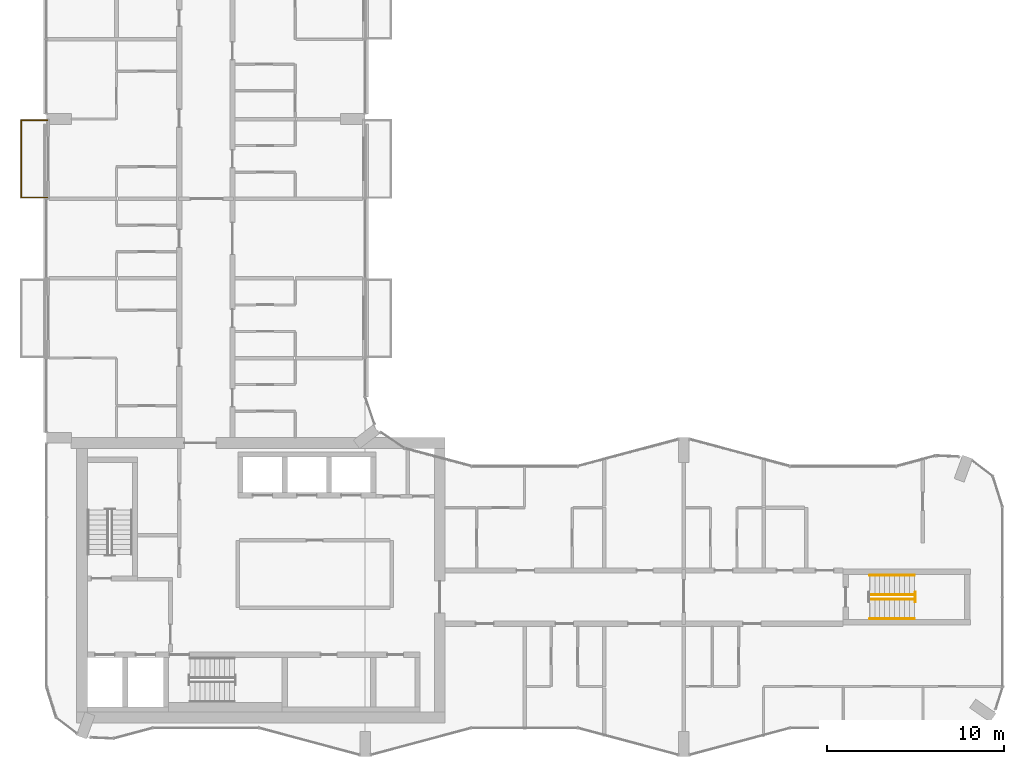
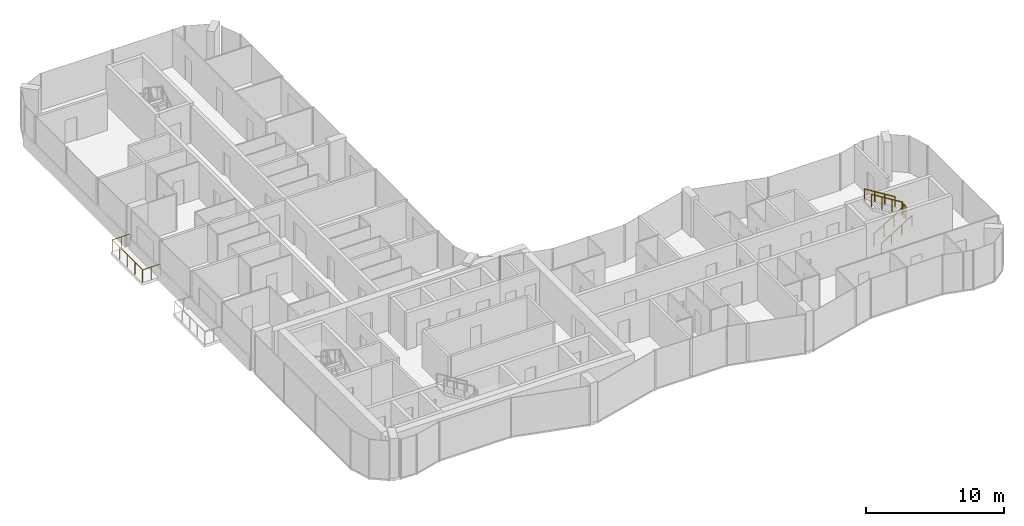
# One storey, part 16 of 17: 6 railings.
"""IFC4 building model written with IfcOpenShell, lengths in metres."""

from ifc_helpers import new_model, si_unit, direction, frame, origin, origin_2d, place, context, subcontext, project, spatial, circle, extrude, material, type_object, element, save


model = new_model("IFC4")

# Units and contexts
model_context = context("Model", 3, precision=1e-05, world=origin(), true_north=direction((0.0, 1.0)))
body_context = subcontext(model_context, "Body", "Model", "MODEL_VIEW")
ifc_project = project(units=[si_unit("LENGTHUNIT", "METRE"), si_unit("AREAUNIT", "SQUARE_METRE"), si_unit("VOLUMEUNIT", "CUBIC_METRE"), si_unit("PLANEANGLEUNIT", "RADIAN"), si_unit("MASSUNIT", "GRAM", prefix="KILO")], contexts=[model_context])

# Site, building, storey
site_placement = place(None, origin())
site = spatial("IfcSite", under=ifc_project, at=site_placement, CompositionType="ELEMENT")
building_placement = place(site_placement, origin())
building = spatial("IfcBuilding", under=site, at=building_placement, Name="Plateau Cross Towers", CompositionType="ELEMENT")
storey_placement = place(building_placement, frame((0.0, 0.0, 142.89990234375)))
storey = spatial("IfcBuildingStorey", under=building, at=storey_placement, Name="L36", CompositionType="ELEMENT", Elevation=142.89990234375)

# Railings
ifc_material_1 = material(Name="Stainless steel and toughened glass", Category="steel")
railing_type_1 = type_object("IfcRailingType", Name="Glass balustrade guard 1100", PredefinedType="GUARDRAIL", material=ifc_material_1)
railing_1_placement = place(storey_placement, frame((0.050048828125, 31.570068359375, 0.0)))
element("IfcRailing", 1, at=railing_1_placement, inside=storey, type_object=railing_type_1, Name="Guard guard1", PredefinedType="GUARDRAIL", context=body_context, shape_type="SweptSolid", body=[
    extrude(circle(Radius=0.02392578125, at=origin_2d()), frame((0.0, 0.0, 1.076171875), z_axis=(-1.0, 0.0, 0.0), x_axis=(0.0, -1.0, 0.0)), (0.0, 0.0, 1.0), 1.47998046875),
    extrude(circle(Radius=0.02392578125, at=origin_2d()), frame((-1.47998046875, 0.0, 1.076171875), z_axis=(0.0, 1.0, 0.0), x_axis=(-1.0, 0.0, 0.0)), (0.0, 0.0, 1.0), 4.35986328125),
    extrude(circle(Radius=0.02392578125, at=origin_2d()), frame((-1.47998046875, 4.35986328125, 1.076171875), z_axis=(1.0, 0.0, 0.0), x_axis=(0.0, 1.0, 0.0)), (0.0, 0.0, 1.0), 1.47998046875),
    extrude(circle(Radius=0.02099609375, at=origin_2d()), origin(), (0.0, 0.0, 1.0), 1.052001953125),
    extrude(circle(Radius=0.02099609375, at=origin_2d()), frame((-0.739990234375, 0.0, 0.0)), (0.0, 0.0, 1.0), 1.052001953125),
    extrude(circle(Radius=0.02099609375, at=origin_2d()), frame((-1.47998046875, 0.0, 0.0)), (0.0, 0.0, 1.0), 1.052001953125),
    extrude(circle(Radius=0.02099609375, at=origin_2d()), frame((-1.47998046875, 1.08984375, 0.0)), (0.0, 0.0, 1.0), 1.052001953125),
    extrude(circle(Radius=0.02099609375, at=origin_2d()), frame((-1.47998046875, 2.179931640625, 0.0)), (0.0, 0.0, 1.0), 1.052001953125),
    extrude(circle(Radius=0.02099609375, at=origin_2d()), frame((-1.47998046875, 3.27001953125, 0.0)), (0.0, 0.0, 1.0), 1.052001953125),
    extrude(circle(Radius=0.02099609375, at=origin_2d()), frame((-1.47998046875, 4.35986328125, 0.0)), (0.0, 0.0, 1.0), 1.052001953125),
    extrude(circle(Radius=0.02099609375, at=origin_2d()), frame((-0.739990234375, 4.35986328125, 0.0)), (0.0, 0.0, 1.0), 1.052001953125),
    extrude(circle(Radius=0.02099609375, at=origin_2d()), frame((0.0, 4.35986328125, 0.0)), (0.0, 0.0, 1.0), 1.052001953125),
])
railing_type_2 = type_object("IfcRailingType", Name="RL-GUARD-1100", PredefinedType="GUARDRAIL", material=ifc_material_1)
railing_2_placement = place(storey_placement, frame((46.5, 8.875, 0.175048828125)))
element("IfcRailing", 2, at=railing_2_placement, inside=storey, type_object=railing_type_2, Name="L36 ES-E stair guard 1", PredefinedType="GUARDRAIL", context=body_context, shape_type="SweptSolid", body=[
    extrude(circle(Radius=0.02392578125, at=origin_2d()), frame((0.0, 0.0, 1.076171875), z_axis=(0.848007534815, 0.0, 0.529984170421), x_axis=(0.0, 1.0, 0.0)), (0.0, 0.0, 1.0), 2.9716796875),
    extrude(circle(Radius=0.02099609375, at=origin_2d()), origin(), (0.0, 0.0, 1.0), 1.052001953125),
    extrude(circle(Radius=0.02099609375, at=origin_2d()), frame((0.840087890625, 0.0, 0.52490234375)), (0.0, 0.0, 1.0), 1.052001953125),
    extrude(circle(Radius=0.02099609375, at=origin_2d()), frame((1.679931640625, 0.0, 1.050048828125)), (0.0, 0.0, 1.0), 1.052001953125),
    extrude(circle(Radius=0.02099609375, at=origin_2d()), frame((2.52001953125, 0.0, 1.574951171875)), (0.0, 0.0, 1.0), 1.052001953125),
])
railing_3_placement = place(storey_placement, frame((49.070068359375, 8.72509765625, 1.75)))
element("IfcRailing", 3, at=railing_3_placement, inside=storey, type_object=railing_type_2, Name="L36 ES-E stair guard 2", PredefinedType="GUARDRAIL", context=body_context, shape_type="SweptSolid", body=[
    extrude(circle(Radius=0.02392578125, at=origin_2d()), frame((0.0, 0.0, 1.076171875), z_axis=(0.0, 1.0, 0.0), x_axis=(-1.0, 0.0, 0.0)), (0.0, 0.0, 1.0), 0.5498046875),
    extrude(circle(Radius=0.02099609375, at=origin_2d()), origin(), (0.0, 0.0, 1.0), 1.052001953125),
    extrude(circle(Radius=0.02099609375, at=origin_2d()), frame((0.0, 0.5498046875, 0.0)), (0.0, 0.0, 1.0), 1.052001953125),
])
railing_4_placement = place(storey_placement, frame((49.02001953125, 9.125, 1.925048828125)))
element("IfcRailing", 4, at=railing_4_placement, inside=storey, type_object=railing_type_2, Name="L36 ES-E stair guard 3", PredefinedType="GUARDRAIL", context=body_context, shape_type="SweptSolid", body=[
    extrude(circle(Radius=0.02392578125, at=origin_2d()), frame((0.0, 0.0, 1.076171875), z_axis=(-0.852638500773, 0.0, 0.522501279423), x_axis=(0.0, -1.0, 0.0)), (0.0, 0.0, 1.0), 3.01416015625),
    extrude(circle(Radius=0.02099609375, at=origin_2d()), origin(), (0.0, 0.0, 1.0), 1.052001953125),
    extrude(circle(Radius=0.02099609375, at=origin_2d()), frame((-0.856689453125, 0.0, 0.52490234375)), (0.0, 0.0, 1.0), 1.052001953125),
    extrude(circle(Radius=0.02099609375, at=origin_2d()), frame((-1.71337890625, 0.0, 1.050048828125)), (0.0, 0.0, 1.0), 1.052001953125),
    extrude(circle(Radius=0.02099609375, at=origin_2d()), frame((-2.570068359375, 0.0, 1.574951171875)), (0.0, 0.0, 1.0), 1.052001953125),
])
ifc_material_2 = material(Name="Black anodised aluminium", Category="aluminium")
railing_type_3 = type_object("IfcRailingType", Name="RL-HANDRAIL-900", PredefinedType="HANDRAIL", material=ifc_material_2)
railing_5_placement = place(storey_placement, frame((46.5, 7.77490234375, 0.175048828125)))
element("IfcRailing", 5, at=railing_5_placement, inside=storey, type_object=railing_type_3, Name="L36 ES-E stair handrail 1", PredefinedType="HANDRAIL", context=body_context, shape_type="SweptSolid", body=[
    extrude(circle(Radius=0.02392578125, at=origin_2d()), frame((0.0, 0.0, 0.8759765625), z_axis=(0.848007534815, 0.0, 0.529984170421), x_axis=(0.0, 1.0, 0.0)), (0.0, 0.0, 1.0), 2.9716796875),
    extrude(circle(Radius=0.02099609375, at=origin_2d()), origin(), (0.0, 0.0, 1.0), 0.851806640625),
    extrude(circle(Radius=0.02099609375, at=origin_2d()), frame((0.840087890625, 0.0, 0.52490234375)), (0.0, 0.0, 1.0), 0.851806640625),
    extrude(circle(Radius=0.02099609375, at=origin_2d()), frame((1.679931640625, 0.0, 1.050048828125)), (0.0, 0.0, 1.0), 0.851806640625),
    extrude(circle(Radius=0.02099609375, at=origin_2d()), frame((2.52001953125, 0.0, 1.574951171875)), (0.0, 0.0, 1.0), 0.851806640625),
])
railing_6_placement = place(storey_placement, frame((49.02001953125, 10.22509765625, 1.925048828125)))
element("IfcRailing", 6, at=railing_6_placement, inside=storey, type_object=railing_type_3, Name="L36 ES-E stair handrail 2", PredefinedType="HANDRAIL", context=body_context, shape_type="SweptSolid", body=[
    extrude(circle(Radius=0.02392578125, at=origin_2d()), frame((0.0, 0.0, 0.8759765625), z_axis=(-0.848007534815, 0.0, 0.529984170421), x_axis=(0.0, -1.0, 0.0)), (0.0, 0.0, 1.0), 2.9716796875),
    extrude(circle(Radius=0.02099609375, at=origin_2d()), origin(), (0.0, 0.0, 1.0), 0.851806640625),
    extrude(circle(Radius=0.02099609375, at=origin_2d()), frame((-0.840087890625, 0.0, 0.52490234375)), (0.0, 0.0, 1.0), 0.851806640625),
    extrude(circle(Radius=0.02099609375, at=origin_2d()), frame((-1.679931640625, 0.0, 1.050048828125)), (0.0, 0.0, 1.0), 0.851806640625),
    extrude(circle(Radius=0.02099609375, at=origin_2d()), frame((-2.52001953125, 0.0, 1.574951171875)), (0.0, 0.0, 1.0), 0.851806640625),
])

save(model, "model.ifc")
